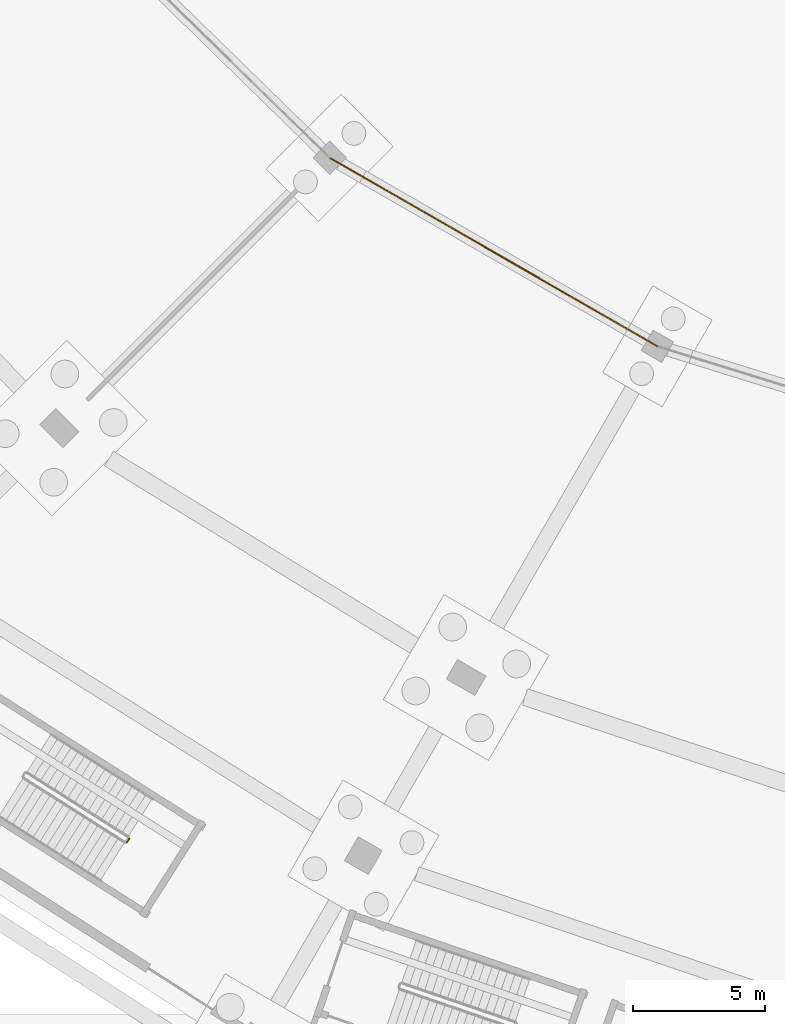
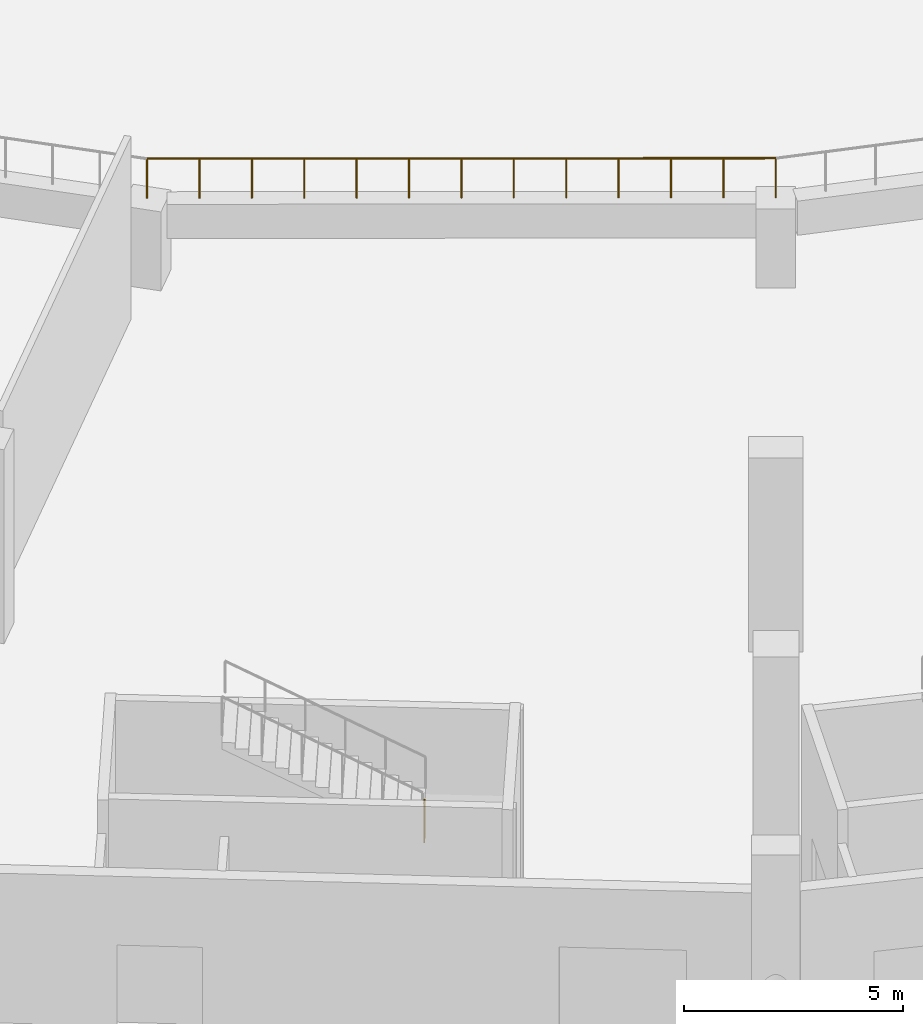
# One storey, part 63 of 103: 2 railings.
"""IFC4 building model written with IfcOpenShell, lengths in metres."""

from ifc_helpers import new_model, si_unit, direction, frame, origin, origin_2d, place, context, subcontext, project, spatial, circle, extrude, material, type_object, element, save


model = new_model("IFC4")

# Units and contexts
model_context = context("Model", 3, precision=1e-05, world=origin(), true_north=direction((0.0, 1.0)))
body_context = subcontext(model_context, "Body", "Model", "MODEL_VIEW")
ifc_project = project(units=[si_unit("LENGTHUNIT", "METRE"), si_unit("AREAUNIT", "SQUARE_METRE"), si_unit("VOLUMEUNIT", "CUBIC_METRE"), si_unit("PLANEANGLEUNIT", "RADIAN"), si_unit("MASSUNIT", "GRAM", prefix="KILO")], contexts=[model_context])

# Site, building, storey
site_placement = place(None, origin())
site = spatial("IfcSite", under=ifc_project, at=site_placement, CompositionType="ELEMENT")
building_placement = place(site_placement, origin())
building = spatial("IfcBuilding", under=site, at=building_placement, Name="Zevraka Park Crest Stadium", CompositionType="ELEMENT")
storey_placement = place(building_placement, origin())
storey = spatial("IfcBuildingStorey", under=building, at=storey_placement, Name="L00", CompositionType="ELEMENT", Elevation=0.0)

# Railings
ifc_material_1 = material(Name="Laminated glass and stainless steel sightline bowl guard", Category="steel")
railing_type_1 = type_object("IfcRailingType", Name="GR02", PredefinedType="GUARDRAIL", material=ifc_material_1)
railing_1_placement = place(storey_placement, frame((69.573974609375, 60.179931640625, 2.199951171875)))
element("IfcRailing", 1, at=railing_1_placement, inside=storey, type_object=railing_type_1, Name="Lower Tier Pitch Sightline Guard GR02 15", PredefinedType="GUARDRAIL", context=body_context, shape_type="SweptSolid", body=[
    extrude(circle(Radius=0.02392578125, at=origin_2d()), frame((0.0, 0.0, 1.09619140625), z_axis=(0.866727982415, -0.498781118827, 0.0), x_axis=(0.498781118827, 0.866727982415, 0.0)), (0.0, 0.0, 1.0), 14.336669921875),
    extrude(circle(Radius=0.02099609375, at=origin_2d()), origin(), (0.0, 0.0, 1.0), 1.072021484375),
    extrude(circle(Radius=0.02099609375, at=origin_2d()), frame((1.035400390625, -0.595947265625, 0.0)), (0.0, 0.0, 1.0), 1.072021484375),
    extrude(circle(Radius=0.02099609375, at=origin_2d()), frame((2.071044921875, -1.19189453125, 0.0)), (0.0, 0.0, 1.0), 1.072021484375),
    extrude(circle(Radius=0.02099609375, at=origin_2d()), frame((3.1064453125, -1.78759765625, 0.0)), (0.0, 0.0, 1.0), 1.072021484375),
    extrude(circle(Radius=0.02099609375, at=origin_2d()), frame((4.14208984375, -2.383544921875, 0.0)), (0.0, 0.0, 1.0), 1.072021484375),
    extrude(circle(Radius=0.02099609375, at=origin_2d()), frame((5.177490234375, -2.9794921875, 0.0)), (0.0, 0.0, 1.0), 1.072021484375),
    extrude(circle(Radius=0.02099609375, at=origin_2d()), frame((6.212890625, -3.575439453125, 0.0)), (0.0, 0.0, 1.0), 1.072021484375),
    extrude(circle(Radius=0.02099609375, at=origin_2d()), frame((7.24853515625, -4.17138671875, 0.0)), (0.0, 0.0, 1.0), 1.072021484375),
    extrude(circle(Radius=0.02099609375, at=origin_2d()), frame((8.283935546875, -4.767333984375, 0.0)), (0.0, 0.0, 1.0), 1.072021484375),
    extrude(circle(Radius=0.02099609375, at=origin_2d()), frame((9.319580078125, -5.36328125, 0.0)), (0.0, 0.0, 1.0), 1.072021484375),
    extrude(circle(Radius=0.02099609375, at=origin_2d()), frame((10.35498046875, -5.958984375, 0.0)), (0.0, 0.0, 1.0), 1.072021484375),
    extrude(circle(Radius=0.02099609375, at=origin_2d()), frame((11.390625, -6.554931640625, 0.0)), (0.0, 0.0, 1.0), 1.072021484375),
    extrude(circle(Radius=0.02099609375, at=origin_2d()), frame((12.426025390625, -7.15087890625, 0.0)), (0.0, 0.0, 1.0), 1.072021484375),
])
ifc_material_2 = material(Name="Powder-coated tubular steel stairwell guard", Category="steel")
railing_type_2 = type_object("IfcRailingType", Name="GR03", PredefinedType="GUARDRAIL", material=ifc_material_2)
railing_2_placement = place(storey_placement, frame((61.884521484375, 34.221923828125, 2.699951171875)))
element("IfcRailing", 2, at=railing_2_placement, inside=storey, type_object=railing_type_2, Name="L00 ST16 stair guard 2", PredefinedType="GUARDRAIL", context=body_context, shape_type="SweptSolid", body=[
    extrude(circle(Radius=0.02392578125, at=origin_2d()), frame((0.0, 0.0, 1.076171875), z_axis=(0.535887230789, 0.844289568736, 0.0), x_axis=(-0.844289568736, 0.535887230789, 0.0)), (0.0, 0.0, 1.0), 0.159912109375),
    extrude(circle(Radius=0.02099609375, at=origin_2d()), origin(), (0.0, 0.0, 1.0), 1.052001953125),
    extrude(circle(Radius=0.02099609375, at=origin_2d()), frame((0.085693359375, 0.135009765625, 0.0)), (0.0, 0.0, 1.0), 1.052001953125),
])

save(model, "model.ifc")
